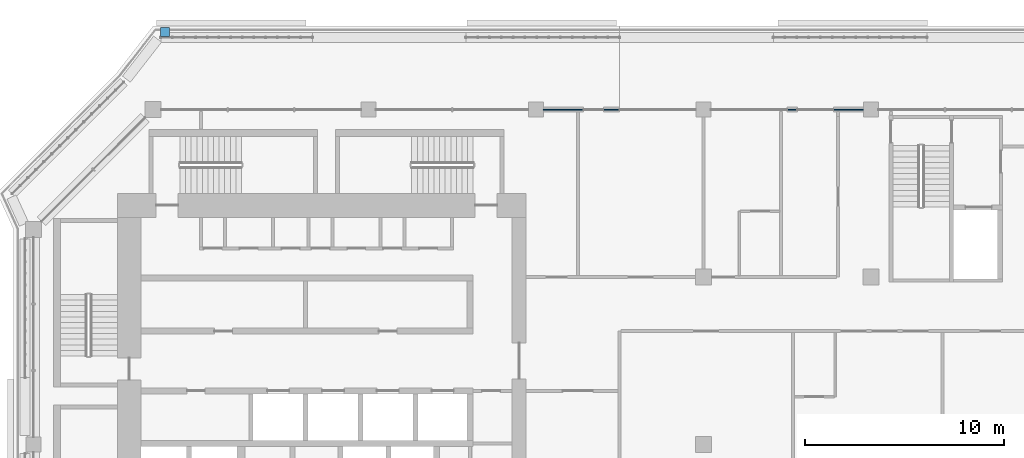
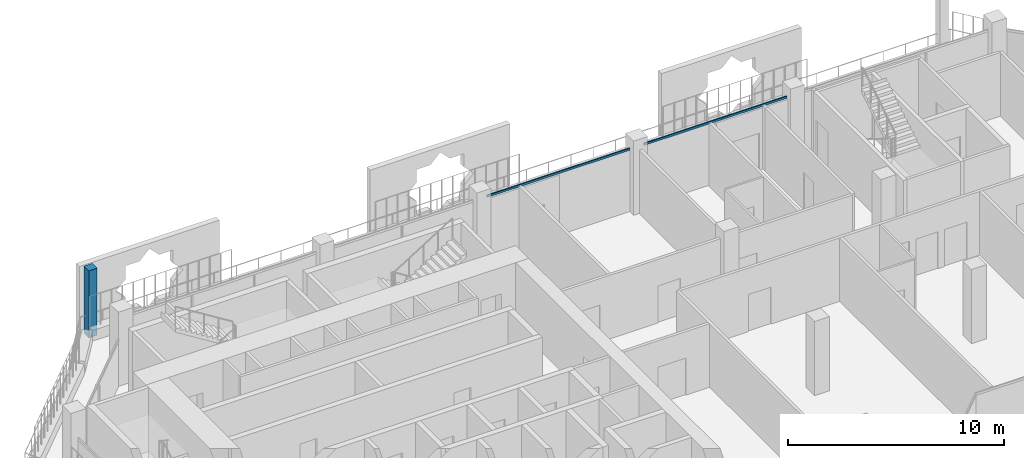
# One storey, part 7 of 21: 3 members, 2 elements without a shape of their own.
"""IFC4 building model written with IfcOpenShell, lengths in metres."""

from ifc_helpers import new_model, si_unit, direction, frame, origin, origin_2d, place, context, subcontext, project, spatial, rectangle, extrude, material, layer, layer_set, material_profile, profile_set, type_object, element, aggregate, save


model = new_model("IFC4")

# Units and contexts
model_context = context("Model", 3, precision=1e-05, world=origin(), true_north=direction((0.0, 1.0)))
body_context = subcontext(model_context, "Body", "Model", "MODEL_VIEW")
ifc_project = project(units=[si_unit("LENGTHUNIT", "METRE"), si_unit("AREAUNIT", "SQUARE_METRE"), si_unit("VOLUMEUNIT", "CUBIC_METRE"), si_unit("PLANEANGLEUNIT", "RADIAN"), si_unit("MASSUNIT", "GRAM", prefix="KILO")], contexts=[model_context])

# Site, building, storey
site_placement = place(None, origin())
site = spatial("IfcSite", under=ifc_project, at=site_placement, CompositionType="ELEMENT")
building_placement = place(site_placement, origin())
building = spatial("IfcBuilding", under=site, at=building_placement, Name="Kawkab Arch Medical Tower", CompositionType="ELEMENT")
storey_placement = place(building_placement, frame((0.0, 0.0, 302.800048828125)))
storey = spatial("IfcBuildingStorey", under=building, at=storey_placement, Name="L70", CompositionType="ELEMENT", Elevation=302.800048828125)

# Curtain wall, members
ifc_material_1 = material(Name="Bronze anodised aluminium curtain wall frame", Category="aluminium")
ifc_layer_1 = layer(ifc_material_1, 0.159912109375)
ifc_layer_set_1 = layer_set([ifc_layer_1], Name="Bronze anodised aluminium curtain wall frame")
curtain_wall_type_1 = type_object("IfcCurtainWallType", Name="CW1 ward curtain wall", PredefinedType="NOTDEFINED", material=ifc_layer_set_1)
placement = place(storey_placement, origin())
curtain_wall_1 = element("IfcCurtainWall", 1, at=placement, inside=storey, type_object=curtain_wall_type_1, Name="CW1 Ward curtain wall R15", PredefinedType="NOTDEFINED")
ifc_material_2 = material(Name="Bronze anodised aluminium curtain wall frame", Category="aluminium")
ifc_material_profile_1 = material_profile(ifc_material_2, rectangle(XDim=0.06005859375, YDim=0.1201171875, at=origin_2d()), Name="AL 60x120")
ifc_profile_set_1 = profile_set([ifc_material_profile_1], Name="Bronze anodised aluminium curtain wall frame")
member_type_1 = type_object("IfcMemberType", Name="CW1 transom 120 x 60", PredefinedType="USERDEFINED", material=ifc_profile_set_1)
member_1_placement = place(storey_placement, frame((41.625, 0.0, 3.5400390625), z_axis=(-1.0, 0.0, 0.0), x_axis=(0.0, -1.0, 0.0)))
member_1 = element("IfcMember", 2, at=member_1_placement, type_object=member_type_1, Name="CW1 transom 2", ObjectType="TRANSOM", PredefinedType="USERDEFINED", context=body_context, shape_type="SweptSolid", body=[
    extrude(rectangle(XDim=0.06005859375, YDim=0.1201171875, at=origin_2d()), origin(), (0.0, 0.0, 1.0), 7.64990234375),
])
member_2_placement = place(storey_placement, frame((33.22509765625, 0.0, 3.5400390625), z_axis=(-1.0, 0.0, 0.0), x_axis=(0.0, -1.0, 0.0)))
member_2 = element("IfcMember", 3, at=member_2_placement, type_object=member_type_1, Name="CW1 transom 3", ObjectType="TRANSOM", PredefinedType="USERDEFINED", context=body_context, shape_type="SweptSolid", body=[
    extrude(rectangle(XDim=0.06005859375, YDim=0.1201171875, at=origin_2d()), origin(), (0.0, 0.0, 1.0), 7.650146484375),
])
aggregate(curtain_wall_1, [member_1, member_2])

# Curtain wall, member
ifc_material_3 = material(Name="Bronze anodised aluminium climber frame, planted", Category="aluminium")
ifc_layer_2 = layer(ifc_material_3, 0.449951171875)
ifc_layer_set_2 = layer_set([ifc_layer_2], Name="Bronze anodised aluminium climber frame, planted")
curtain_wall_type_2 = type_object("IfcCurtainWallType", Name="Planted climber frame", PredefinedType="NOTDEFINED", material=ifc_layer_set_2)
curtain_wall_2 = element("IfcCurtainWall", 4, at=placement, inside=storey, type_object=curtain_wall_type_2, Name="Planted climber frame L70", PredefinedType="NOTDEFINED")
ifc_material_4 = material(Name="Bronze anodised aluminium climber frame, planted", Category="aluminium")
ifc_material_profile_2 = material_profile(ifc_material_4, rectangle(XDim=0.449951171875, YDim=0.449951171875, at=origin_2d()), Name="Post 450x450")
ifc_profile_set_2 = profile_set([ifc_material_profile_2], Name="Bronze anodised aluminium climber frame, planted")
member_type_2 = type_object("IfcMemberType", Name="Planted climber post 450 x 450", PredefinedType="MULLION", material=ifc_profile_set_2)
member_3_placement = place(storey_placement, frame((6.596923828125, 3.89990234375, 0.0), z_axis=(0.0, 0.0, 1.0), x_axis=(1.0, 0.0, 0.0)))
member_3 = element("IfcMember", 5, at=member_3_placement, type_object=member_type_2, Name="Planted climber post L70.LOG-01-01.3", PredefinedType="MULLION", context=body_context, shape_type="SweptSolid", body=[
    extrude(rectangle(XDim=0.449951171875, YDim=0.449951171875, at=origin_2d()), origin(), (0.0, 0.0, 1.0), 3.800048828125),
])
aggregate(curtain_wall_2, [member_3])

save(model, "model.ifc")
